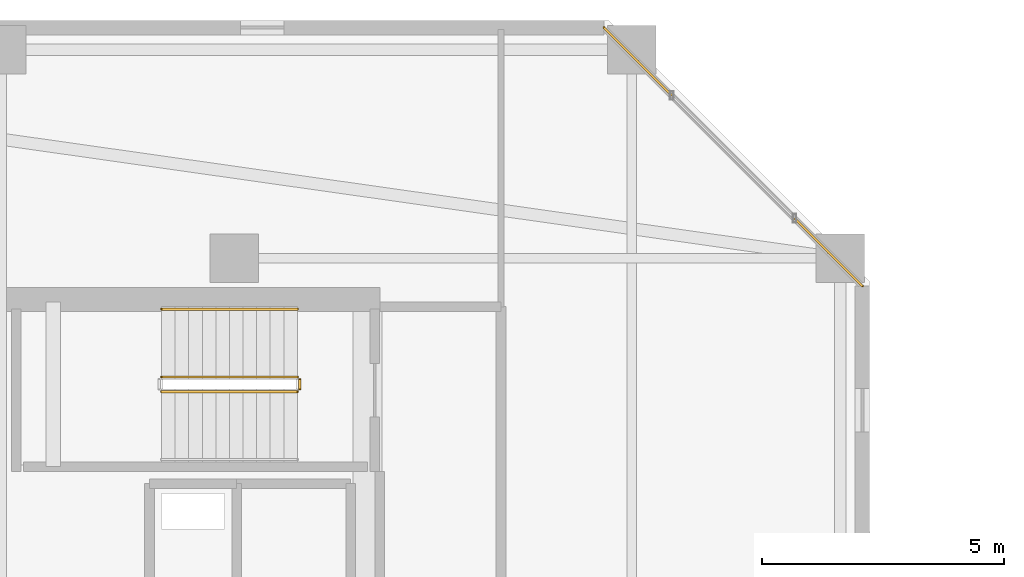
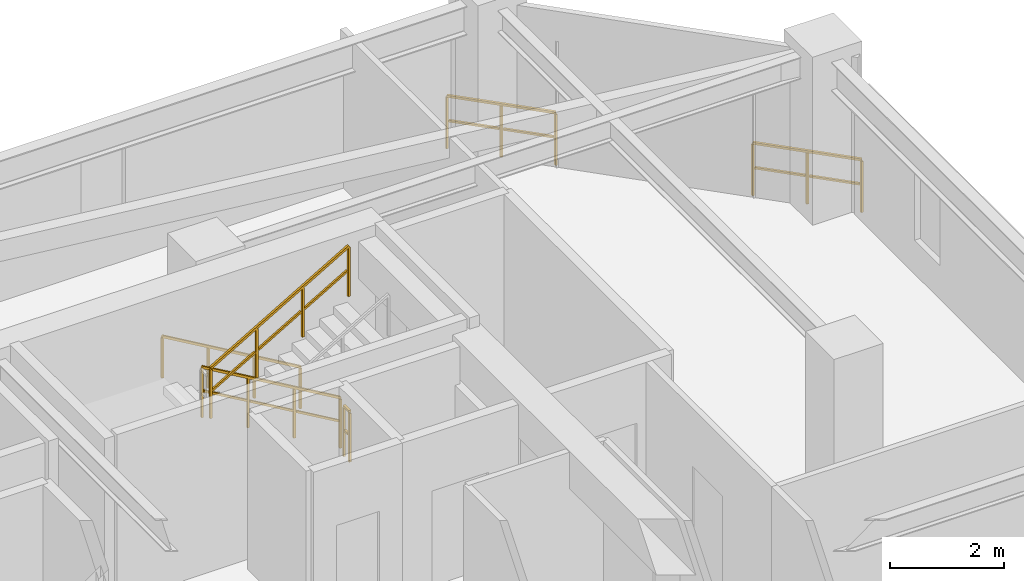
# One storey, part 30 of 32: 6 railings.
"""IFC4 building model written with IfcOpenShell, lengths in metres."""

from ifc_helpers import new_model, si_unit, direction, frame, origin, origin_2d, place, context, subcontext, project, spatial, rectangle, extrude, material, type_object, element, save


model = new_model("IFC4")

# Units and contexts
model_context = context("Model", 3, precision=1e-05, world=origin(), true_north=direction((0.0, 1.0)))
body_context = subcontext(model_context, "Body", "Model", "MODEL_VIEW")
ifc_project = project(units=[si_unit("LENGTHUNIT", "METRE"), si_unit("AREAUNIT", "SQUARE_METRE"), si_unit("VOLUMEUNIT", "CUBIC_METRE"), si_unit("PLANEANGLEUNIT", "RADIAN"), si_unit("MASSUNIT", "GRAM", prefix="KILO")], contexts=[model_context])

# Site, building, storey
site_placement = place(None, origin())
site = spatial("IfcSite", under=ifc_project, at=site_placement, CompositionType="ELEMENT")
building_placement = place(site_placement, origin())
building = spatial("IfcBuilding", under=site, at=building_placement, Name="Thornwick Lancets Civic Towers", CompositionType="ELEMENT")
storey_placement = place(building_placement, frame((0.0, 0.0, 240.300048828125)))
storey = spatial("IfcBuildingStorey", under=building, at=storey_placement, Name="L64", CompositionType="ELEMENT", Elevation=240.300048828125)

# Railings
ifc_material_1 = material(Name="Brushed stainless steel S355", Category="steel")
railing_type_1 = type_object("IfcRailingType", Name="RAIL_HANDRAIL", PredefinedType="HANDRAIL", material=ifc_material_1)
railing_1_placement = place(storey_placement, frame((31.60009765625, 38.949951171875, 0.16357421875)))
element("IfcRailing", 1, at=railing_1_placement, inside=storey, type_object=railing_type_1, Name="L64 ST-A2 stair handrail 1", PredefinedType="HANDRAIL", context=body_context, shape_type="SweptSolid", body=[
    extrude(rectangle(XDim=0.048095703125, YDim=0.048095703125, at=origin_2d()), frame((0.0, 0.0, 0.8857421875), z_axis=(-0.863360870873, 0.0, 0.504586966384), x_axis=(0.0, -1.0, 0.0)), (0.0, 0.0, 1.0), 3.2431640625),
    extrude(rectangle(XDim=0.0419921875, YDim=0.0419921875, at=origin_2d()), origin(), (0.0, 0.0, 1.0), 0.855712890625),
    extrude(rectangle(XDim=0.0419921875, YDim=0.0419921875, at=origin_2d()), frame((-0.933349609375, 0.0, 0.54541015625)), (0.0, 0.0, 1.0), 0.855712890625),
    extrude(rectangle(XDim=0.0419921875, YDim=0.0419921875, at=origin_2d()), frame((-1.86669921875, 0.0, 1.091064453125)), (0.0, 0.0, 1.0), 0.855712890625),
    extrude(rectangle(XDim=0.0419921875, YDim=0.0419921875, at=origin_2d()), frame((-2.800048828125, 0.0, 1.636474609375)), (0.0, 0.0, 1.0), 0.855712890625),
])
ifc_material_2 = material(Name="Steel S355JR", Category="steel")
railing_type_2 = type_object("IfcRailingType", Name="RAIL_STAIR_GUARD", PredefinedType="GUARDRAIL", material=ifc_material_2)
railing_2_placement = place(storey_placement, frame((31.60009765625, 37.550048828125, 0.16357421875)))
element("IfcRailing", 2, at=railing_2_placement, inside=storey, type_object=railing_type_2, Name="L64 ST-A2 stair guard 1", PredefinedType="GUARDRAIL", context=body_context, shape_type="SweptSolid", body=[
    extrude(rectangle(XDim=0.048095703125, YDim=0.048095703125, at=origin_2d()), frame((0.0, 0.0, 1.076171875), z_axis=(-0.863360870873, 0.0, 0.504586966384), x_axis=(0.0, -1.0, 0.0)), (0.0, 0.0, 1.0), 3.2431640625),
    extrude(rectangle(XDim=0.0419921875, YDim=0.0419921875, at=origin_2d()), frame((-0.032470703125, 0.0, 0.591064453125), z_axis=(-0.863360870873, 0.0, 0.504586966384), x_axis=(0.0, -1.0, 0.0)), (0.0, 0.0, 1.0), 1.006103515625),
    extrude(rectangle(XDim=0.0419921875, YDim=0.0419921875, at=origin_2d()), frame((-0.9658203125, 0.0, 1.136474609375), z_axis=(-0.863360870873, 0.0, 0.504586966384), x_axis=(0.0, -1.0, 0.0)), (0.0, 0.0, 1.0), 1.006103515625),
    extrude(rectangle(XDim=0.0419921875, YDim=0.0419921875, at=origin_2d()), frame((-1.899169921875, 0.0, 1.681884765625), z_axis=(-0.863360870873, 0.0, 0.504586966384), x_axis=(0.0, -1.0, 0.0)), (0.0, 0.0, 1.0), 1.006103515625),
    extrude(rectangle(XDim=0.0419921875, YDim=0.0419921875, at=origin_2d()), origin(), (0.0, 0.0, 1.0), 1.0458984375),
    extrude(rectangle(XDim=0.0419921875, YDim=0.0419921875, at=origin_2d()), frame((-0.933349609375, 0.0, 0.54541015625)), (0.0, 0.0, 1.0), 1.0458984375),
    extrude(rectangle(XDim=0.0419921875, YDim=0.0419921875, at=origin_2d()), frame((-1.86669921875, 0.0, 1.091064453125)), (0.0, 0.0, 1.0), 1.0458984375),
    extrude(rectangle(XDim=0.0419921875, YDim=0.0419921875, at=origin_2d()), frame((-2.800048828125, 0.0, 1.636474609375)), (0.0, 0.0, 1.0), 1.0458984375),
])
railing_3_placement = place(storey_placement, frame((28.800048828125, 37.25, 1.963623046875)))
element("IfcRailing", 3, at=railing_3_placement, inside=storey, type_object=railing_type_2, Name="L64 ST-A2 stair guard 3", PredefinedType="GUARDRAIL", context=body_context, shape_type="SweptSolid", body=[
    extrude(rectangle(XDim=0.048095703125, YDim=0.048095703125, at=origin_2d()), frame((0.0, 0.0, 1.076171875), z_axis=(0.863393664356, 0.0, 0.504530851732), x_axis=(0.0, 1.0, 0.0)), (0.0, 0.0, 1.0), 3.2431640625),
    extrude(rectangle(XDim=0.0419921875, YDim=0.0419921875, at=origin_2d()), frame((0.032470703125, 0.0, 0.591064453125), z_axis=(0.863393664356, 0.0, 0.504530851732), x_axis=(0.0, 1.0, 0.0)), (0.0, 0.0, 1.0), 1.006103515625),
    extrude(rectangle(XDim=0.0419921875, YDim=0.0419921875, at=origin_2d()), frame((0.9658203125, 0.0, 1.136474609375), z_axis=(0.863393664356, 0.0, 0.504530851732), x_axis=(0.0, 1.0, 0.0)), (0.0, 0.0, 1.0), 1.006103515625),
    extrude(rectangle(XDim=0.0419921875, YDim=0.0419921875, at=origin_2d()), frame((1.899169921875, 0.0, 1.681884765625), z_axis=(0.863393664356, 0.0, 0.504530851732), x_axis=(0.0, 1.0, 0.0)), (0.0, 0.0, 1.0), 1.006103515625),
    extrude(rectangle(XDim=0.0419921875, YDim=0.0419921875, at=origin_2d()), origin(), (0.0, 0.0, 1.0), 1.0458984375),
    extrude(rectangle(XDim=0.0419921875, YDim=0.0419921875, at=origin_2d()), frame((0.933349609375, 0.0, 0.54541015625)), (0.0, 0.0, 1.0), 1.0458984375),
    extrude(rectangle(XDim=0.0419921875, YDim=0.0419921875, at=origin_2d()), frame((1.86669921875, 0.0, 1.0908203125)), (0.0, 0.0, 1.0), 1.0458984375),
    extrude(rectangle(XDim=0.0419921875, YDim=0.0419921875, at=origin_2d()), frame((2.800048828125, 0.0, 1.63623046875)), (0.0, 0.0, 1.0), 1.0458984375),
])
railing_4_placement = place(storey_placement, frame((31.64990234375, 37.5, 0.0)))
element("IfcRailing", 4, at=railing_4_placement, inside=storey, type_object=railing_type_2, Name="L64 ST-A2 stair guard 4", PredefinedType="GUARDRAIL", context=body_context, shape_type="SweptSolid", body=[
    extrude(rectangle(XDim=0.048095703125, YDim=0.048095703125, at=origin_2d()), frame((0.0, 0.0, 1.076171875), z_axis=(0.0, -1.0, 0.0), x_axis=(1.0, 0.0, 0.0)), (0.0, 0.0, 1.0), 0.199951171875),
    extrude(rectangle(XDim=0.0419921875, YDim=0.0419921875, at=origin_2d()), frame((0.0, -0.03759765625, 0.572021484375), z_axis=(0.0, -1.0, 0.0), x_axis=(1.0, 0.0, 0.0)), (0.0, 0.0, 1.0), 0.125),
    extrude(rectangle(XDim=0.0419921875, YDim=0.0419921875, at=origin_2d()), origin(), (0.0, 0.0, 1.0), 1.0458984375),
    extrude(rectangle(XDim=0.0419921875, YDim=0.0419921875, at=origin_2d()), frame((0.0, -0.199951171875, 0.0)), (0.0, 0.0, 1.0), 1.0458984375),
])
ifc_material_3 = material(Name="Terracotta-capped laminated glass balustrade S355", Category="masonry")
railing_type_3 = type_object("IfcRailingType", Name="RAIL_TERR_GUARD", PredefinedType="GUARDRAIL", material=ifc_material_3)
for number, where, name in (
    (5, (43.255615234375, 39.423583984375, 0.0), "L64 Tower A Chamfer Spandrel Guard E3-1"),
    (6, (39.323486328125, 43.355712890625, 0.0), "L64 Tower A Chamfer Spandrel Guard E3-2"),
):
    element("IfcRailing", number, at=place(storey_placement, frame(where)), inside=storey, type_object=railing_type_3, Name=name, PredefinedType="GUARDRAIL", context=body_context, shape_type="SweptSolid", body=[
        extrude(rectangle(XDim=0.048095703125, YDim=0.048095703125, at=origin_2d()), frame((0.0, 0.0, 1.1259765625), z_axis=(-0.707106781187, 0.707106781187, 0.0), x_axis=(-0.707106781187, -0.707106781187, 0.0)), (0.0, 0.0, 1.0), 1.979736328125),
        extrude(rectangle(XDim=0.0419921875, YDim=0.0419921875, at=origin_2d()), frame((-0.026611328125, 0.026611328125, 0.597900390625), z_axis=(-0.707106781187, 0.707106781187, 0.0), x_axis=(-0.707106781187, -0.707106781187, 0.0)), (0.0, 0.0, 1.0), 0.914794921875),
        extrude(rectangle(XDim=0.0419921875, YDim=0.0419921875, at=origin_2d()), frame((-0.7265625, 0.7265625, 0.597900390625), z_axis=(-0.707106781187, 0.707106781187, 0.0), x_axis=(-0.707106781187, -0.707106781187, 0.0)), (0.0, 0.0, 1.0), 0.914794921875),
        extrude(rectangle(XDim=0.0419921875, YDim=0.0419921875, at=origin_2d()), origin(), (0.0, 0.0, 1.0), 1.095703125),
        extrude(rectangle(XDim=0.0419921875, YDim=0.0419921875, at=origin_2d()), frame((-0.699951171875, 0.699951171875, 0.0)), (0.0, 0.0, 1.0), 1.095703125),
        extrude(rectangle(XDim=0.0419921875, YDim=0.0419921875, at=origin_2d()), frame((-1.39990234375, 1.39990234375, 0.0)), (0.0, 0.0, 1.0), 1.095703125),
    ])

save(model, "model.ifc")
